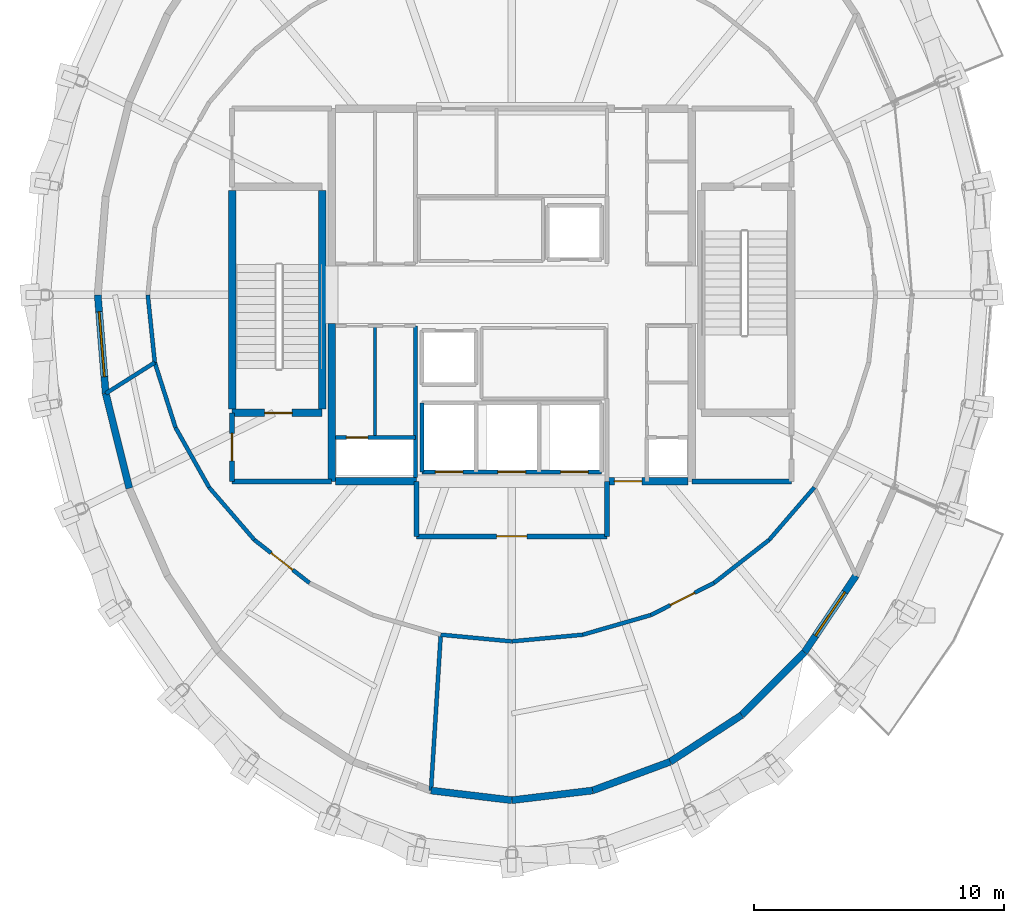
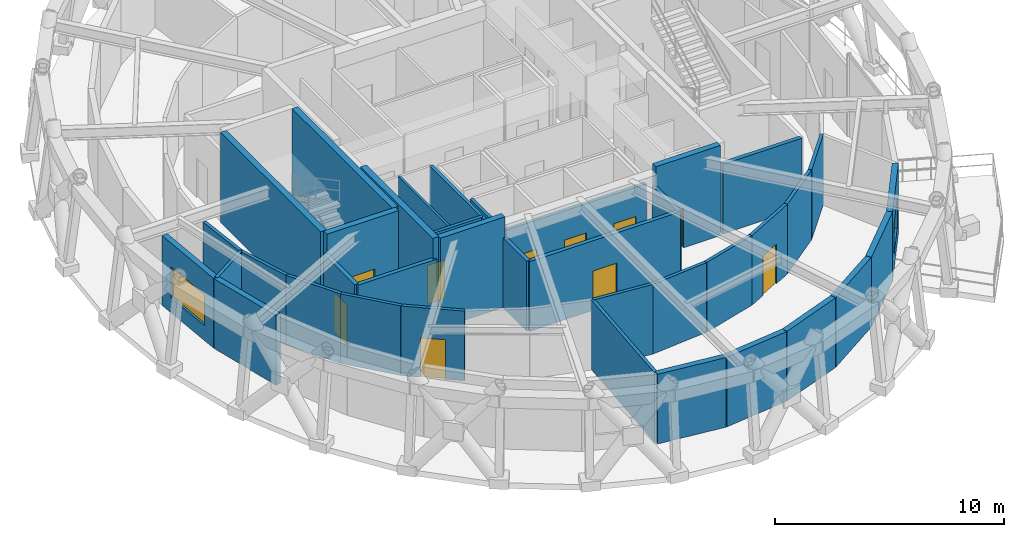
# One storey, part 7 of 11: 38 walls, 10 doors, 2 windows, 12 openings.
"""IFC4 building model written with IfcOpenShell, lengths in metres."""

from ifc_helpers import new_model, si_unit, direction, frame, frame_2d, origin, place, context, subcontext, project, spatial, rectangle, extrude, material, layer, layer_set, type_object, element, fill, save


model = new_model("IFC4")

# Units and contexts
model_context = context("Model", 3, precision=1e-05, world=origin(), true_north=direction((0.0, 1.0)))
body_context = subcontext(model_context, "Body", "Model", "MODEL_VIEW")
ifc_project = project(units=[si_unit("LENGTHUNIT", "METRE"), si_unit("AREAUNIT", "SQUARE_METRE"), si_unit("VOLUMEUNIT", "CUBIC_METRE"), si_unit("PLANEANGLEUNIT", "RADIAN"), si_unit("MASSUNIT", "GRAM", prefix="KILO")], contexts=[model_context])

# Site, building, storey
site_placement = place(None, origin())
site = spatial("IfcSite", under=ifc_project, at=site_placement, CompositionType="ELEMENT")
building_placement = place(site_placement, origin())
building = spatial("IfcBuilding", under=site, at=building_placement, Name="Veldorina Hangang Commons", CompositionType="ELEMENT")
storey_placement = place(building_placement, frame((0.0, 0.0, 297.60009765625)))
storey = spatial("IfcBuildingStorey", under=building, at=storey_placement, Name="L78", CompositionType="ELEMENT", Elevation=297.60009765625)

# Walls
ifc_material_1 = material(Name="Concrete C50/60", Category="concrete")
ifc_layer_1 = layer(ifc_material_1, 0.300048828125)
ifc_layer_set_1 = layer_set([ifc_layer_1], Name="Concrete C50/60")
wall_type_1 = type_object("IfcWallType", Name="CW-RC300-C50", PredefinedType="SHEAR", material=ifc_layer_set_1)
wall_1_placement = place(storey_placement, frame((24.800048828125, 16.550048828125, 0.0), z_axis=(0.0, 0.0, 1.0), x_axis=(0.0, 1.0, 0.0)))
element("IfcWall", 1, at=wall_1_placement, inside=storey, type_object=wall_type_1, Name="L78 W south core shear wall", PredefinedType="SHEAR", context=body_context, shape_type="SweptSolid", body=[
    extrude(rectangle(XDim=6.300048828125, YDim=0.300048828125, at=frame_2d((3.14990234375, 0.0))), origin(), (0.0, 0.0, 1.0), 4.7998046875),
])
wall_2_placement = place(storey_placement, frame((24.949951171875, 16.550048828125, 0.0), z_axis=(0.0, 0.0, 1.0), x_axis=(1.0, 0.0, 0.0)))
element("IfcWall", 2, at=wall_2_placement, inside=storey, type_object=wall_type_1, Name="L78 south-west core shear wall", PredefinedType="SHEAR", context=body_context, shape_type="SweptSolid", body=[
    extrude(rectangle(XDim=3.25, YDim=0.300048828125, at=frame_2d((1.625, 0.0))), origin(), (0.0, 0.0, 1.0), 4.7998046875),
])

# Wall, opening, door
wall_3_placement = place(storey_placement, frame((35.800048828125, 16.550048828125, 0.0), z_axis=(0.0, 0.0, 1.0), x_axis=(1.0, 0.0, 0.0)))
wall_3 = element("IfcWall", 3, at=wall_3_placement, inside=storey, type_object=wall_type_1, Name="L78 south-east core shear wall", PredefinedType="SHEAR", context=body_context, shape_type="SweptSolid", body=[
    extrude(rectangle(XDim=3.25, YDim=0.300048828125, at=frame_2d((1.625, 0.0))), origin(), (0.0, 0.0, 1.0), 4.7998046875),
])
opening_1_placement = place(wall_3_placement, frame((0.300048828125, 0.0, 0.0)))
opening_1 = element("IfcOpeningElement", 4, at=opening_1_placement, cuts=wall_3, Name="Opening D-08", PredefinedType="OPENING", context=body_context, shape_type="SweptSolid", body=[
    extrude(rectangle(XDim=1.10009765625, YDim=2.10009765625, at=frame_2d((0.550048828125, 1.050048828125))), frame((0.0, 0.16015625, 0.0), z_axis=(0.0, -1.0, 0.0), x_axis=(1.0, 0.0, 0.0)), (0.0, 0.0, 1.0), 0.320068359375),
])
ifc_material_2 = material(Name="Steel Fire-Rated Smoke Seal", Category="steel")
door_type_1 = type_object("IfcDoorType", Name="DR-FIRE-1100", OperationType="SINGLE_SWING_RIGHT", PredefinedType="DOOR", material=ifc_material_2)
door_1_placement = place(opening_1_placement, origin())
door_1 = element("IfcDoor", 5, at=door_1_placement, inside=storey, type_object=door_type_1, Name="L78 central lift lobby south corridor door", OperationType="SINGLE_SWING_RIGHT", OverallHeight=2.10009765625, OverallWidth=1.10009765625, PredefinedType="DOOR", context=body_context, shape_type="SweptSolid", body=[
    extrude(rectangle(XDim=1.10009765625, YDim=2.10009765625, at=frame_2d((0.550048828125, 1.050048828125))), frame((0.0, 0.02490234375, 0.0), z_axis=(0.0, -1.0, 0.0), x_axis=(1.0, 0.0, 0.0)), (0.0, 0.0, 1.0), 0.050048828125),
])
fill(opening_1, door_1)

# Wall, opening, window
ifc_material_3 = material(Name="Stone Roman Travertine", Category="masonry")
ifc_layer_2 = layer(ifc_material_3, 0.280029296875)
ifc_layer_set_2 = layer_set([ifc_layer_2], Name="Stone Roman Travertine")
wall_type_2 = type_object("IfcWallType", Name="EW-TRAV-280", PredefinedType="STANDARD", material=ifc_layer_set_2)
wall_4_placement = place(storey_placement, frame((15.449951171875, 24.0, 0.0), z_axis=(0.0, 0.0, 1.0), x_axis=(0.080459393336, -0.996757887365, 0.0)))
wall_4 = element("IfcWall", 6, at=wall_4_placement, inside=storey, type_object=wall_type_2, Name="L78 travertine facade wall 16", PredefinedType="STANDARD", context=body_context, shape_type="SweptSolid", body=[
    extrude(rectangle(XDim=3.953857421875, YDim=0.280029296875, at=frame_2d((1.97705078125, 0.0))), origin(), (0.0, 0.0, 1.0), 3.7099609375),
])
opening_2_placement = place(wall_4_placement, frame((0.6767578125, 0.0, 0.800048828125)))
opening_2 = element("IfcOpeningElement", 7, at=opening_2_placement, cuts=wall_4, Name="Opening W-02", PredefinedType="OPENING", context=body_context, shape_type="SweptSolid", body=[
    extrude(rectangle(XDim=2.60009765625, YDim=1.64990234375, at=frame_2d((1.300048828125, 0.824951171875))), frame((0.0, 0.14990234375, 0.0), z_axis=(0.0, -1.0, 0.0), x_axis=(1.0, 0.0, 0.0)), (0.0, 0.0, 1.0), 0.300048828125),
])
ifc_material_4 = material(Name="Glass Low-E Triple IGU", Category="glass")
window_type_1 = type_object("IfcWindowType", Name="WIN-TWR-2600", PartitioningType="SINGLE_PANEL", PredefinedType="WINDOW", material=ifc_material_4)
window_1_placement = place(opening_2_placement, origin())
window_1 = element("IfcWindow", 8, at=window_1_placement, inside=storey, type_object=window_type_1, Name="L78 facade window 16", OverallHeight=1.64990234375, OverallWidth=2.60009765625, PartitioningType="SINGLE_PANEL", PredefinedType="WINDOW", context=body_context, shape_type="SweptSolid", body=[
    extrude(rectangle(XDim=2.60009765625, YDim=1.64990234375, at=frame_2d((1.300048828125, 0.824951171875))), frame((0.0, 0.030029296875, 0.0), z_axis=(0.0, -1.0, 0.0), x_axis=(1.0, 0.0, 0.0)), (0.0, 0.0, 1.0), 0.06005859375),
])
fill(opening_2, window_1)

# Walls
wall_5_placement = place(storey_placement, frame((15.76806640625, 20.05908203125, 0.0), z_axis=(0.0, 0.0, 1.0), x_axis=(0.241167143082, -0.970483595481, 0.0)))
element("IfcWall", 9, at=wall_5_placement, inside=storey, type_object=wall_type_2, Name="L78 travertine facade wall 17", PredefinedType="STANDARD", context=body_context, shape_type="SweptSolid", body=[
    extrude(rectangle(XDim=3.904541015625, YDim=0.280029296875, at=frame_2d((1.9521484375, 0.0))), origin(), (0.0, 0.0, 1.0), 3.7099609375),
])
for number, where, z_axis, x_axis, name in (
    (10, (28.771240234375, 4.18798828125, 0.0), (0.0, 0.0, 1.0), (0.992859065369, -0.119293236663, 0.0), "L78 travertine facade wall 23"),
    (11, (32.0, 3.800048828125, 0.0), (0.0, 0.0, 1.0), (0.992859065369, 0.119293236663, 0.0), "L78 travertine facade wall 24"),
):
    element("IfcWall", number, at=place(storey_placement, frame(where, z_axis=z_axis, x_axis=x_axis)), inside=storey, type_object=wall_type_2, Name=name, PredefinedType="STANDARD", context=body_context, shape_type="SweptSolid", body=[
        extrude(rectangle(XDim=3.251953125, YDim=0.280029296875, at=frame_2d((1.6259765625, 0.0))), origin(), (0.0, 0.0, 1.0), 3.7099609375),
    ])
wall_6_placement = place(storey_placement, frame((35.228759765625, 4.18798828125, 0.0), z_axis=(0.0, 0.0, 1.0), x_axis=(0.937772775671, 0.347249508582, 0.0)))
element("IfcWall", 12, at=wall_6_placement, inside=storey, type_object=wall_type_2, Name="L78 travertine facade wall 25", PredefinedType="STANDARD", context=body_context, shape_type="SweptSolid", body=[
    extrude(rectangle(XDim=3.310791015625, YDim=0.280029296875, at=frame_2d((1.6552734375, 0.0))), origin(), (0.0, 0.0, 1.0), 3.7099609375),
])
wall_7_placement = place(storey_placement, frame((38.33349609375, 5.337646484375, 0.0), z_axis=(0.0, 0.0, 1.0), x_axis=(0.837506795295, 0.546426909875, 0.0)))
element("IfcWall", 13, at=wall_7_placement, inside=storey, type_object=wall_type_2, Name="L78 travertine facade wall 26", PredefinedType="STANDARD", context=body_context, shape_type="SweptSolid", body=[
    extrude(rectangle(XDim=3.416259765625, YDim=0.280029296875, at=frame_2d((1.7080078125, 0.0))), origin(), (0.0, 0.0, 1.0), 3.7099609375),
])
wall_8_placement = place(storey_placement, frame((41.194580078125, 7.204345703125, 0.0), z_axis=(0.0, 0.0, 1.0), x_axis=(0.706556343152, 0.707656791073, 0.0)))
element("IfcWall", 14, at=wall_8_placement, inside=storey, type_object=wall_type_2, Name="L78 travertine facade wall 27", PredefinedType="STANDARD", context=body_context, shape_type="SweptSolid", body=[
    extrude(rectangle(XDim=3.5498046875, YDim=0.280029296875, at=frame_2d((1.77490234375, 0.0))), origin(), (0.0, 0.0, 1.0), 3.7099609375),
])

# Wall, opening, window
wall_9_placement = place(storey_placement, frame((43.70263671875, 9.71630859375, 0.0), z_axis=(0.0, 0.0, 1.0), x_axis=(0.55793393731, 0.82988536654, 0.0)))
wall_9 = element("IfcWall", 15, at=wall_9_placement, inside=storey, type_object=wall_type_2, Name="L78 travertine facade wall 28", PredefinedType="STANDARD", context=body_context, shape_type="SweptSolid", body=[
    extrude(rectangle(XDim=3.688720703125, YDim=0.280029296875, at=frame_2d((1.84423828125, 0.0))), origin(), (0.0, 0.0, 1.0), 3.7099609375),
])
opening_3_placement = place(wall_9_placement, frame((0.79443359375, 0.0, 0.800048828125)))
opening_3 = element("IfcOpeningElement", 16, at=opening_3_placement, cuts=wall_9, Name="Opening W-03", PredefinedType="OPENING", context=body_context, shape_type="SweptSolid", body=[
    extrude(rectangle(XDim=2.10009765625, YDim=1.64990234375, at=frame_2d((1.050048828125, 0.824951171875))), frame((0.0, 0.14990234375, 0.0), z_axis=(0.0, -1.0, 0.0), x_axis=(1.0, 0.0, 0.0)), (0.0, 0.0, 1.0), 0.300048828125),
])
window_type_2 = type_object("IfcWindowType", Name="WIN-TWR-2100", PartitioningType="SINGLE_PANEL", PredefinedType="WINDOW", material=ifc_material_4)
window_2_placement = place(opening_3_placement, origin())
window_2 = element("IfcWindow", 17, at=window_2_placement, inside=storey, type_object=window_type_2, Name="L78 facade window 28", OverallHeight=1.64990234375, OverallWidth=2.10009765625, PartitioningType="SINGLE_PANEL", PredefinedType="WINDOW", context=body_context, shape_type="SweptSolid", body=[
    extrude(rectangle(XDim=2.10009765625, YDim=1.64990234375, at=frame_2d((1.050048828125, 0.824951171875))), frame((0.0, 0.030029296875, 0.0), z_axis=(0.0, -1.0, 0.0), x_axis=(1.0, 0.0, 0.0)), (0.0, 0.0, 1.0), 0.06005859375),
])
fill(opening_3, window_2)

# Walls
ifc_layer_3 = layer(ifc_material_1, 0.300048828125)
ifc_layer_set_3 = layer_set([ifc_layer_3], Name="Concrete C50/60")
wall_type_3 = type_object("IfcWallType", Name="SW-STAIR-300", PredefinedType="SHEAR", material=ifc_layer_set_3)
for number, where, z_axis, x_axis, name in (
    (18, (20.820068359375, 19.429931640625, 0.0), (0.0, 0.0, 1.0), (0.0, 1.0, 0.0), "L78 ST1 outer stair shear wall"),
    (19, (24.419921875, 19.429931640625, 0.0), (0.0, 0.0, 1.0), (0.0, 1.0, 0.0), "L78 ST1 inner stair shear wall"),
):
    element("IfcWall", number, at=place(storey_placement, frame(where, z_axis=z_axis, x_axis=x_axis)), inside=storey, type_object=wall_type_3, Name=name, PredefinedType="SHEAR", context=body_context, shape_type="SweptSolid", body=[
        extrude(rectangle(XDim=8.739990234375, YDim=0.300048828125, at=frame_2d((4.3701171875, 0.0))), origin(), (0.0, 0.0, 1.0), 4.7998046875),
    ])

# Wall, opening, door
wall_10_placement = place(storey_placement, frame((20.820068359375, 19.280029296875, 0.0), z_axis=(0.0, 0.0, 1.0), x_axis=(1.0, 0.0, 0.0)))
wall_10 = element("IfcWall", 20, at=wall_10_placement, inside=storey, type_object=wall_type_3, Name="L78 ST1 south stair shear wall", PredefinedType="SHEAR", context=body_context, shape_type="SweptSolid", body=[
    extrude(rectangle(XDim=3.599853515625, YDim=0.300048828125, at=frame_2d((1.7998046875, 0.0))), origin(), (0.0, 0.0, 1.0), 4.7998046875),
])
opening_4_placement = place(wall_10_placement, frame((1.300048828125, 0.0, 0.0)))
opening_4 = element("IfcOpeningElement", 21, at=opening_4_placement, cuts=wall_10, Name="Opening D-08", PredefinedType="OPENING", context=body_context, shape_type="SweptSolid", body=[
    extrude(rectangle(XDim=1.10009765625, YDim=2.10009765625, at=frame_2d((0.550048828125, 1.050048828125))), frame((0.0, 0.16015625, 0.0), z_axis=(0.0, -1.0, 0.0), x_axis=(1.0, 0.0, 0.0)), (0.0, 0.0, 1.0), 0.320068359375),
])
door_2_placement = place(opening_4_placement, origin())
door_2 = element("IfcDoor", 22, at=door_2_placement, inside=storey, type_object=door_type_1, Name="L78 Special Escape Stair ST-1 door", OperationType="SINGLE_SWING_LEFT", OverallHeight=2.10009765625, OverallWidth=1.10009765625, PredefinedType="DOOR", context=body_context, shape_type="SweptSolid", body=[
    extrude(rectangle(XDim=1.10009765625, YDim=2.10009765625, at=frame_2d((0.550048828125, 1.050048828125))), frame((0.0, 0.02490234375, 0.0), z_axis=(0.0, -1.0, 0.0), x_axis=(1.0, 0.0, 0.0)), (0.0, 0.0, 1.0), 0.050048828125),
])
fill(opening_4, door_2)

# Wall, openings, doors
ifc_material_5 = material(Name="Gypsum Fire-Rated Twin Stud Wall", Category="gypsum")
ifc_layer_4 = layer(ifc_material_5, 0.159912109375)
ifc_layer_set_4 = layer_set([ifc_layer_4], Name="Gypsum Fire-Rated Twin Stud Wall")
wall_type_4 = type_object("IfcWallType", Name="WL-FIRE-160", PredefinedType="SOLIDWALL", material=ifc_layer_set_4)
wall_11_placement = place(storey_placement, frame((28.419921875, 16.919921875, 0.0), z_axis=(0.0, 0.0, 1.0), x_axis=(1.0, 0.0, 0.0)))
wall_11 = element("IfcWall", 23, at=wall_11_placement, inside=storey, type_object=wall_type_4, Name="L78 Emergency front shaft wall 023", PredefinedType="SOLIDWALL", context=body_context, shape_type="SweptSolid", body=[
    extrude(rectangle(XDim=7.16015625, YDim=0.159912109375, at=frame_2d((3.580078125, 0.0))), origin(), (0.0, 0.0, 1.0), 3.7099609375),
])
opening_5_placement = place(wall_11_placement, frame((0.530029296875, 0.0, 0.0)))
opening_5 = element("IfcOpeningElement", 24, at=opening_5_placement, cuts=wall_11, Name="Opening LD-03", PredefinedType="OPENING", context=body_context, shape_type="SweptSolid", body=[
    extrude(rectangle(XDim=1.10009765625, YDim=2.14990234375, at=frame_2d((0.550048828125, 1.074951171875))), frame((0.0, 0.08984375, 0.0), z_axis=(0.0, -1.0, 0.0), x_axis=(1.0, 0.0, 0.0)), (0.0, 0.0, 1.0), 0.179931640625),
])
opening_6_placement = place(wall_11_placement, frame((3.030029296875, 0.0, 0.0)))
opening_6 = element("IfcOpeningElement", 25, at=opening_6_placement, cuts=wall_11, Name="Opening LD-03", PredefinedType="OPENING", context=body_context, shape_type="SweptSolid", body=[
    extrude(rectangle(XDim=1.10009765625, YDim=2.14990234375, at=frame_2d((0.550048828125, 1.074951171875))), frame((0.0, 0.08984375, 0.0), z_axis=(0.0, -1.0, 0.0), x_axis=(1.0, 0.0, 0.0)), (0.0, 0.0, 1.0), 0.179931640625),
])
opening_7_placement = place(wall_11_placement, frame((5.530029296875, 0.0, 0.0)))
opening_7 = element("IfcOpeningElement", 26, at=opening_7_placement, cuts=wall_11, Name="Opening LD-03", PredefinedType="OPENING", context=body_context, shape_type="SweptSolid", body=[
    extrude(rectangle(XDim=1.10009765625, YDim=2.14990234375, at=frame_2d((0.550048828125, 1.074951171875))), frame((0.0, 0.08984375, 0.0), z_axis=(0.0, -1.0, 0.0), x_axis=(1.0, 0.0, 0.0)), (0.0, 0.0, 1.0), 0.179931640625),
])
ifc_material_6 = material(Name="Stainless Steel Firefighting Lift Door", Category="steel")
door_type_2 = type_object("IfcDoorType", Name="DR-LIFT-FF1100", OperationType="SLIDING_TO_RIGHT", PredefinedType="DOOR", material=ifc_material_6)
door_3_placement = place(opening_5_placement, origin())
door_3 = element("IfcDoor", 27, at=door_3_placement, inside=storey, type_object=door_type_2, Name="L78 Emergency lift FFL-1 landing door 008", OperationType="SLIDING_TO_RIGHT", OverallHeight=2.14990234375, OverallWidth=1.10009765625, PredefinedType="DOOR", context=body_context, shape_type="SweptSolid", body=[
    extrude(rectangle(XDim=1.10009765625, YDim=2.14990234375, at=frame_2d((0.550048828125, 1.074951171875))), frame((0.0, 0.02490234375, 0.0), z_axis=(0.0, -1.0, 0.0), x_axis=(1.0, 0.0, 0.0)), (0.0, 0.0, 1.0), 0.050048828125),
])
fill(opening_5, door_3)
door_4_placement = place(opening_6_placement, origin())
door_4 = element("IfcDoor", 28, at=door_4_placement, inside=storey, type_object=door_type_2, Name="L78 Emergency lift FFL-2 landing door 009", OperationType="SLIDING_TO_RIGHT", OverallHeight=2.14990234375, OverallWidth=1.10009765625, PredefinedType="DOOR", context=body_context, shape_type="SweptSolid", body=[
    extrude(rectangle(XDim=1.10009765625, YDim=2.14990234375, at=frame_2d((0.550048828125, 1.074951171875))), frame((0.0, 0.02490234375, 0.0), z_axis=(0.0, -1.0, 0.0), x_axis=(1.0, 0.0, 0.0)), (0.0, 0.0, 1.0), 0.050048828125),
])
fill(opening_6, door_4)
door_5_placement = place(opening_7_placement, origin())
door_5 = element("IfcDoor", 29, at=door_5_placement, inside=storey, type_object=door_type_2, Name="L78 Emergency lift EVL-1 landing door 010", OperationType="SLIDING_TO_RIGHT", OverallHeight=2.14990234375, OverallWidth=1.10009765625, PredefinedType="DOOR", context=body_context, shape_type="SweptSolid", body=[
    extrude(rectangle(XDim=1.10009765625, YDim=2.14990234375, at=frame_2d((0.550048828125, 1.074951171875))), frame((0.0, 0.02490234375, 0.0), z_axis=(0.0, -1.0, 0.0), x_axis=(1.0, 0.0, 0.0)), (0.0, 0.0, 1.0), 0.050048828125),
])
fill(opening_7, door_5)

# Wall
wall_12_placement = place(storey_placement, frame((28.419921875, 16.919921875, 0.0), z_axis=(0.0, 0.0, 1.0), x_axis=(0.0, 1.0, 0.0)))
element("IfcWall", 30, at=wall_12_placement, inside=storey, type_object=wall_type_4, Name="L78 FFL-1 west shaft wall 025", PredefinedType="SOLIDWALL", context=body_context, shape_type="SweptSolid", body=[
    extrude(rectangle(XDim=2.760009765625, YDim=0.159912109375, at=frame_2d((1.3798828125, 0.0))), origin(), (0.0, 0.0, 1.0), 3.7099609375),
])

# Wall, opening, door
wall_13_placement = place(storey_placement, frame((24.949951171875, 18.300048828125, 0.0), z_axis=(0.0, 0.0, 1.0), x_axis=(1.0, 0.0, 0.0)))
wall_13 = element("IfcWall", 31, at=wall_13_placement, inside=storey, type_object=wall_type_4, Name="L78 Electrical riser wall 041", PredefinedType="SOLIDWALL", context=body_context, shape_type="SweptSolid", body=[
    extrude(rectangle(XDim=3.199951171875, YDim=0.159912109375, at=frame_2d((1.60009765625, 0.0))), origin(), (0.0, 0.0, 1.0), 3.7099609375),
])
opening_8_placement = place(wall_13_placement, frame((0.43994140625, 0.0, 0.0)))
opening_8 = element("IfcOpeningElement", 32, at=opening_8_placement, cuts=wall_13, Name="Opening D-12", PredefinedType="OPENING", context=body_context, shape_type="SweptSolid", body=[
    extrude(rectangle(XDim=0.860107421875, YDim=2.050048828125, at=frame_2d((0.43017578125, 1.02490234375))), frame((0.0, 0.08984375, 0.0), z_axis=(0.0, -1.0, 0.0), x_axis=(1.0, 0.0, 0.0)), (0.0, 0.0, 1.0), 0.179931640625),
])
ifc_material_7 = material(Name="Steel Insulated Riser Access", Category="steel")
door_type_3 = type_object("IfcDoorType", Name="DR-TRAP-860", OperationType="SINGLE_SWING_LEFT", PredefinedType="TRAPDOOR", material=ifc_material_7)
door_6_placement = place(opening_8_placement, origin())
door_6 = element("IfcDoor", 33, at=door_6_placement, inside=storey, type_object=door_type_3, Name="L78 Electrical riser access door 015", OperationType="SINGLE_SWING_LEFT", OverallHeight=2.050048828125, OverallWidth=0.860107421875, PredefinedType="TRAPDOOR", context=body_context, shape_type="SweptSolid", body=[
    extrude(rectangle(XDim=0.860107421875, YDim=2.050048828125, at=frame_2d((0.43017578125, 1.02490234375))), frame((0.0, 0.02490234375, 0.0), z_axis=(0.0, -1.0, 0.0), x_axis=(1.0, 0.0, 0.0)), (0.0, 0.0, 1.0), 0.050048828125),
])
fill(opening_8, door_6)

# Walls
wall_14_placement = place(storey_placement, frame((28.14990234375, 16.699951171875, 0.0), z_axis=(0.0, 0.0, 1.0), x_axis=(0.0, 1.0, 0.0)))
element("IfcWall", 34, at=wall_14_placement, inside=storey, type_object=wall_type_4, Name="L78 SW core inner wall 042", PredefinedType="SOLIDWALL", context=body_context, shape_type="SweptSolid", body=[
    extrude(rectangle(XDim=6.050048828125, YDim=0.159912109375, at=frame_2d((3.02490234375, 0.0))), origin(), (0.0, 0.0, 1.0), 3.7099609375),
])
wall_15_placement = place(storey_placement, frame((17.449951171875, 24.0, 0.0), z_axis=(0.0, 0.0, 1.0), x_axis=(0.102911416913, -0.994690524871, 0.0)))
element("IfcWall", 35, at=wall_15_placement, inside=storey, type_object=wall_type_4, Name="L78 Sky gallery wall 16 072", PredefinedType="SOLIDWALL", context=body_context, shape_type="SweptSolid", body=[
    extrude(rectangle(XDim=2.71630859375, YDim=0.159912109375, at=frame_2d((1.358154296875, 0.0))), origin(), (0.0, 0.0, 1.0), 3.7099609375),
])
wall_16_placement = place(storey_placement, frame((17.7294921875, 21.298095703125, 0.0), z_axis=(0.0, 0.0, 1.0), x_axis=(0.303658118342, -0.952781059407, 0.0)))
element("IfcWall", 36, at=wall_16_placement, inside=storey, type_object=wall_type_4, Name="L78 Sky gallery wall 17 073", PredefinedType="SOLIDWALL", context=body_context, shape_type="SweptSolid", body=[
    extrude(rectangle(XDim=2.72705078125, YDim=0.159912109375, at=frame_2d((1.363525390625, 0.0))), origin(), (0.0, 0.0, 1.0), 3.7099609375),
])
wall_17_placement = place(storey_placement, frame((18.5576171875, 18.69970703125, 0.0), z_axis=(0.0, 0.0, 1.0), x_axis=(0.48962370511, -0.871933843474, 0.0)))
element("IfcWall", 37, at=wall_17_placement, inside=storey, type_object=wall_type_4, Name="L78 Sky gallery wall 18 074", PredefinedType="SOLIDWALL", context=body_context, shape_type="SweptSolid", body=[
    extrude(rectangle(XDim=2.745849609375, YDim=0.159912109375, at=frame_2d((1.373046875, 0.0))), origin(), (0.0, 0.0, 1.0), 3.7099609375),
])
wall_18_placement = place(storey_placement, frame((19.902099609375, 16.305419921875, 0.0), z_axis=(0.0, 0.0, 1.0), x_axis=(0.652979703778, -0.757375406555, 0.0)))
element("IfcWall", 38, at=wall_18_placement, inside=storey, type_object=wall_type_4, Name="L78 Sky gallery wall 19 075", PredefinedType="SOLIDWALL", context=body_context, shape_type="SweptSolid", body=[
    extrude(rectangle(XDim=2.771240234375, YDim=0.159912109375, at=frame_2d((1.3857421875, 0.0))), origin(), (0.0, 0.0, 1.0), 3.7099609375),
])

# Wall, opening, door
wall_19_placement = place(storey_placement, frame((21.711669921875, 14.20654296875, 0.0), z_axis=(0.0, 0.0, 1.0), x_axis=(0.788044217139, -0.615618641558, 0.0)))
wall_19 = element("IfcWall", 39, at=wall_19_placement, inside=storey, type_object=wall_type_4, Name="L78 Sky gallery wall 20 076", PredefinedType="SOLIDWALL", context=body_context, shape_type="SweptSolid", body=[
    extrude(rectangle(XDim=2.7978515625, YDim=0.159912109375, at=frame_2d((1.39892578125, 0.0))), origin(), (0.0, 0.0, 1.0), 3.7099609375),
])
opening_9_placement = place(wall_19_placement, frame((0.84912109375, 0.0, 0.0)))
opening_9 = element("IfcOpeningElement", 40, at=opening_9_placement, cuts=wall_19, Name="Opening D-08", PredefinedType="OPENING", context=body_context, shape_type="SweptSolid", body=[
    extrude(rectangle(XDim=1.10009765625, YDim=2.10009765625, at=frame_2d((0.550048828125, 1.050048828125))), frame((0.0, 0.08984375, 0.0), z_axis=(0.0, -1.0, 0.0), x_axis=(1.0, 0.0, 0.0)), (0.0, 0.0, 1.0), 0.179931640625),
])
door_7_placement = place(opening_9_placement, origin())
door_7 = element("IfcDoor", 41, at=door_7_placement, inside=storey, type_object=door_type_1, Name="L78 Executive Board Seminar Room entrance door 029", OperationType="SINGLE_SWING_LEFT", OverallHeight=2.10009765625, OverallWidth=1.10009765625, PredefinedType="DOOR", context=body_context, shape_type="SweptSolid", body=[
    extrude(rectangle(XDim=1.10009765625, YDim=2.10009765625, at=frame_2d((0.550048828125, 1.050048828125))), frame((0.0, 0.02490234375, 0.0), z_axis=(0.0, -1.0, 0.0), x_axis=(1.0, 0.0, 0.0)), (0.0, 0.0, 1.0), 0.050048828125),
])
fill(opening_9, door_7)

# Walls
for number, where, z_axis, x_axis, name in (
    (42, (29.161376953125, 10.416015625, 0.0), (0.0, 0.0, 1.0), (0.995634474743, -0.093338056031, 0.0), "L78 Sky gallery wall 23 079"),
    (43, (32.0, 10.14990234375, 0.0), (0.0, 0.0, 1.0), (0.995634474743, 0.093338056031, 0.0), "L78 Sky gallery wall 24 080"),
):
    element("IfcWall", number, at=place(storey_placement, frame(where, z_axis=z_axis, x_axis=x_axis)), inside=storey, type_object=wall_type_4, Name=name, PredefinedType="SOLIDWALL", context=body_context, shape_type="SweptSolid", body=[
        extrude(rectangle(XDim=2.85107421875, YDim=0.159912109375, at=frame_2d((1.425537109375, 0.0))), origin(), (0.0, 0.0, 1.0), 3.7099609375),
    ])
wall_20_placement = place(storey_placement, frame((34.838623046875, 10.416015625, 0.0), z_axis=(0.0, 0.0, 1.0), x_axis=(0.96073200199, 0.277477963723, 0.0)))
element("IfcWall", 44, at=wall_20_placement, inside=storey, type_object=wall_type_4, Name="L78 Sky gallery wall 25 081", PredefinedType="SOLIDWALL", context=body_context, shape_type="SweptSolid", body=[
    extrude(rectangle(XDim=2.841064453125, YDim=0.159912109375, at=frame_2d((1.42041015625, 0.0))), origin(), (0.0, 0.0, 1.0), 3.7099609375),
])

# Wall, opening, door
wall_21_placement = place(storey_placement, frame((37.568115234375, 11.204345703125, 0.0), z_axis=(0.0, 0.0, 1.0), x_axis=(0.891273737135, 0.453465682817, 0.0)))
wall_21 = element("IfcWall", 45, at=wall_21_placement, inside=storey, type_object=wall_type_4, Name="L78 Sky gallery wall 26 082", PredefinedType="SOLIDWALL", context=body_context, shape_type="SweptSolid", body=[
    extrude(rectangle(XDim=2.822265625, YDim=0.159912109375, at=frame_2d((1.4111328125, 0.0))), origin(), (0.0, 0.0, 1.0), 3.7099609375),
])
opening_10_placement = place(wall_21_placement, frame((0.861083984375, 0.0, 0.0)))
opening_10 = element("IfcOpeningElement", 46, at=opening_10_placement, cuts=wall_21, Name="Opening D-08", PredefinedType="OPENING", context=body_context, shape_type="SweptSolid", body=[
    extrude(rectangle(XDim=1.10009765625, YDim=2.10009765625, at=frame_2d((0.550048828125, 1.050048828125))), frame((0.0, 0.08984375, 0.0), z_axis=(0.0, -1.0, 0.0), x_axis=(1.0, 0.0, 0.0)), (0.0, 0.0, 1.0), 0.179931640625),
])
door_8_placement = place(opening_10_placement, origin())
door_8 = element("IfcDoor", 47, at=door_8_placement, inside=storey, type_object=door_type_1, Name="L78 Summit Catering Kitchen entrance door 030", OperationType="SINGLE_SWING_RIGHT", OverallHeight=2.10009765625, OverallWidth=1.10009765625, PredefinedType="DOOR", context=body_context, shape_type="SweptSolid", body=[
    extrude(rectangle(XDim=1.10009765625, YDim=2.10009765625, at=frame_2d((0.550048828125, 1.050048828125))), frame((0.0, 0.02490234375, 0.0), z_axis=(0.0, -1.0, 0.0), x_axis=(1.0, 0.0, 0.0)), (0.0, 0.0, 1.0), 0.050048828125),
])
fill(opening_10, door_8)

# Walls
wall_22_placement = place(storey_placement, frame((40.08349609375, 12.484130859375, 0.0), z_axis=(0.0, 0.0, 1.0), x_axis=(0.788044217139, 0.615618641558, 0.0)))
element("IfcWall", 48, at=wall_22_placement, inside=storey, type_object=wall_type_4, Name="L78 Sky gallery wall 27 083", PredefinedType="SOLIDWALL", context=body_context, shape_type="SweptSolid", body=[
    extrude(rectangle(XDim=2.7978515625, YDim=0.159912109375, at=frame_2d((1.39892578125, 0.0))), origin(), (0.0, 0.0, 1.0), 3.7099609375),
])
wall_23_placement = place(storey_placement, frame((42.288330078125, 14.20654296875, 0.0), z_axis=(0.0, 0.0, 1.0), x_axis=(0.652979703778, 0.757375406555, 0.0)))
element("IfcWall", 49, at=wall_23_placement, inside=storey, type_object=wall_type_4, Name="L78 Sky gallery wall 28 084", PredefinedType="SOLIDWALL", context=body_context, shape_type="SweptSolid", body=[
    extrude(rectangle(XDim=2.771240234375, YDim=0.159912109375, at=frame_2d((1.3857421875, 0.0))), origin(), (0.0, 0.0, 1.0), 3.7099609375),
])
wall_24_placement = place(storey_placement, frame((17.7294921875, 21.298095703125, 0.0), z_axis=(0.0, 0.0, 1.0), x_axis=(-0.845446390163, -0.534060297495, 0.0)))
element("IfcWall", 50, at=wall_24_placement, inside=storey, type_object=wall_type_4, Name="L78 Sky lobby radial wall 4 091", PredefinedType="SOLIDWALL", context=body_context, shape_type="SweptSolid", body=[
    extrude(rectangle(XDim=2.320068359375, YDim=0.159912109375, at=frame_2d((1.16015625, 0.0))), origin(), (0.0, 0.0, 1.0), 3.7099609375),
])
wall_25_placement = place(storey_placement, frame((29.161376953125, 10.416015625, 0.0), z_axis=(0.0, 0.0, 1.0), x_axis=(-0.062519556839, -0.998043739028, 0.0)))
element("IfcWall", 51, at=wall_25_placement, inside=storey, type_object=wall_type_4, Name="L78 Sky lobby radial wall 5 092", PredefinedType="SOLIDWALL", context=body_context, shape_type="SweptSolid", body=[
    extrude(rectangle(XDim=6.240234375, YDim=0.159912109375, at=frame_2d((3.1201171875, 0.0))), origin(), (0.0, 0.0, 1.0), 3.7099609375),
])

# Wall, opening, door
ifc_material_8 = material(Name="Concrete Blockwork Fire Wall C30/37", Category="masonry")
ifc_layer_5 = layer(ifc_material_8, 0.199951171875)
ifc_layer_set_5 = layer_set([ifc_layer_5], Name="Concrete Blockwork Fire Wall C30/37")
wall_type_5 = type_object("IfcWallType", Name="WL-FIRE-200", PredefinedType="SOLIDWALL", material=ifc_layer_set_5)
wall_26_placement = place(storey_placement, frame((20.820068359375, 16.550048828125, 0.0), z_axis=(0.0, 0.0, 1.0), x_axis=(0.0, 1.0, 0.0)))
wall_26 = element("IfcWall", 52, at=wall_26_placement, inside=storey, type_object=wall_type_5, Name="L78 West vestibule outer wall 001", PredefinedType="SOLIDWALL", context=body_context, shape_type="SweptSolid", body=[
    extrude(rectangle(XDim=2.72998046875, YDim=0.199951171875, at=frame_2d((1.364990234375, 0.0))), origin(), (0.0, 0.0, 1.0), 3.7099609375),
])
opening_11_placement = place(wall_26_placement, frame((0.81494140625, 0.0, 0.0)))
opening_11 = element("IfcOpeningElement", 53, at=opening_11_placement, cuts=wall_26, Name="Opening D-08", PredefinedType="OPENING", context=body_context, shape_type="SweptSolid", body=[
    extrude(rectangle(XDim=1.10009765625, YDim=2.10009765625, at=frame_2d((0.550048828125, 1.050048828125))), frame((0.0, 0.10986328125, 0.0), z_axis=(0.0, -1.0, 0.0), x_axis=(1.0, 0.0, 0.0)), (0.0, 0.0, 1.0), 0.219970703125),
])
door_9_placement = place(opening_11_placement, origin())
door_9 = element("IfcDoor", 54, at=door_9_placement, inside=storey, type_object=door_type_1, Name="L78 West vestibule west door 001", OperationType="SINGLE_SWING_LEFT", OverallHeight=2.10009765625, OverallWidth=1.10009765625, PredefinedType="DOOR", context=body_context, shape_type="SweptSolid", body=[
    extrude(rectangle(XDim=1.10009765625, YDim=2.10009765625, at=frame_2d((0.550048828125, 1.050048828125))), frame((0.0, 0.02490234375, 0.0), z_axis=(0.0, -1.0, 0.0), x_axis=(1.0, 0.0, 0.0)), (0.0, 0.0, 1.0), 0.050048828125),
])
fill(opening_11, door_9)

# Walls
for number, where, z_axis, x_axis, name in (
    (55, (20.820068359375, 16.550048828125, 0.0), (0.0, 0.0, 1.0), (1.0, 0.0, 0.0), "L78 West vestibule south wall 002"),
    (56, (39.199951171875, 16.550048828125, 0.0), (0.0, 0.0, 1.0), (1.0, 0.0, 0.0), "L78 SE core room south wall 008"),
):
    element("IfcWall", number, at=place(storey_placement, frame(where, z_axis=z_axis, x_axis=x_axis)), inside=storey, type_object=wall_type_5, Name=name, PredefinedType="SOLIDWALL", context=body_context, shape_type="SweptSolid", body=[
        extrude(rectangle(XDim=3.97998046875, YDim=0.199951171875, at=frame_2d((1.989990234375, 0.0))), origin(), (0.0, 0.0, 1.0), 3.7099609375),
    ])
for number, where, z_axis, x_axis, name in (
    (57, (28.199951171875, 14.35009765625, 0.0), (0.0, 0.0, 1.0), (0.0, 1.0, 0.0), "L78 FF lobby west wall 012"),
    (58, (35.800048828125, 14.35009765625, 0.0), (0.0, 0.0, 1.0), (0.0, 1.0, 0.0), "L78 FF lobby east wall 013"),
):
    element("IfcWall", number, at=place(storey_placement, frame(where, z_axis=z_axis, x_axis=x_axis)), inside=storey, type_object=wall_type_5, Name=name, PredefinedType="SOLIDWALL", context=body_context, shape_type="SweptSolid", body=[
        extrude(rectangle(XDim=2.199951171875, YDim=0.199951171875, at=frame_2d((1.10009765625, 0.0))), origin(), (0.0, 0.0, 1.0), 3.7099609375),
    ])

# Wall, opening, door
wall_27_placement = place(storey_placement, frame((28.199951171875, 14.35009765625, 0.0), z_axis=(0.0, 0.0, 1.0), x_axis=(1.0, 0.0, 0.0)))
wall_27 = element("IfcWall", 59, at=wall_27_placement, inside=storey, type_object=wall_type_5, Name="L78 FF lobby south wall 014", PredefinedType="SOLIDWALL", context=body_context, shape_type="SweptSolid", body=[
    extrude(rectangle(XDim=7.60009765625, YDim=0.199951171875, at=frame_2d((3.800048828125, 0.0))), origin(), (0.0, 0.0, 1.0), 3.7099609375),
])
opening_12_placement = place(wall_27_placement, frame((3.199951171875, 0.0, 0.0)))
opening_12 = element("IfcOpeningElement", 60, at=opening_12_placement, cuts=wall_27, Name="Opening D-09", PredefinedType="OPENING", context=body_context, shape_type="SweptSolid", body=[
    extrude(rectangle(XDim=1.199951171875, YDim=2.10009765625, at=frame_2d((0.60009765625, 1.050048828125))), frame((0.0, 0.10986328125, 0.0), z_axis=(0.0, -1.0, 0.0), x_axis=(1.0, 0.0, 0.0)), (0.0, 0.0, 1.0), 0.219970703125),
])
ifc_material_9 = material(Name="Steel Fire-Rated Corridor Door", Category="steel")
door_type_4 = type_object("IfcDoorType", Name="DR-FIRE-1200", OperationType="SINGLE_SWING_LEFT", PredefinedType="DOOR", material=ifc_material_9)
door_10_placement = place(opening_12_placement, origin())
door_10 = element("IfcDoor", 61, at=door_10_placement, inside=storey, type_object=door_type_4, Name="L78 FF lobby south corridor door 005", OperationType="SINGLE_SWING_LEFT", OverallHeight=2.10009765625, OverallWidth=1.199951171875, PredefinedType="DOOR", context=body_context, shape_type="SweptSolid", body=[
    extrude(rectangle(XDim=1.199951171875, YDim=2.10009765625, at=frame_2d((0.60009765625, 1.050048828125))), frame((0.0, 0.02490234375, 0.0), z_axis=(0.0, -1.0, 0.0), x_axis=(1.0, 0.0, 0.0)), (0.0, 0.0, 1.0), 0.050048828125),
])
fill(opening_12, door_10)

# Wall
ifc_material_10 = material(Name="Gypsum Acoustic Stud Partition", Category="gypsum")
ifc_layer_6 = layer(ifc_material_10, 0.1201171875)
ifc_layer_set_6 = layer_set([ifc_layer_6], Name="Gypsum Acoustic Stud Partition")
wall_type_6 = type_object("IfcWallType", Name="WL-PART-120", PredefinedType="PARTITIONING", material=ifc_layer_set_6)
wall_28_placement = place(storey_placement, frame((26.530029296875, 18.300048828125, 0.0), z_axis=(0.0, 0.0, 1.0), x_axis=(0.0, 1.0, 0.0)))
element("IfcWall", 62, at=wall_28_placement, inside=storey, type_object=wall_type_6, Name="L78 SW vertical split 052", PredefinedType="PARTITIONING", context=body_context, shape_type="SweptSolid", body=[
    extrude(rectangle(XDim=4.449951171875, YDim=0.1201171875, at=frame_2d((2.22509765625, 0.0))), origin(), (0.0, 0.0, 1.0), 3.7099609375),
])

save(model, "model.ifc")
